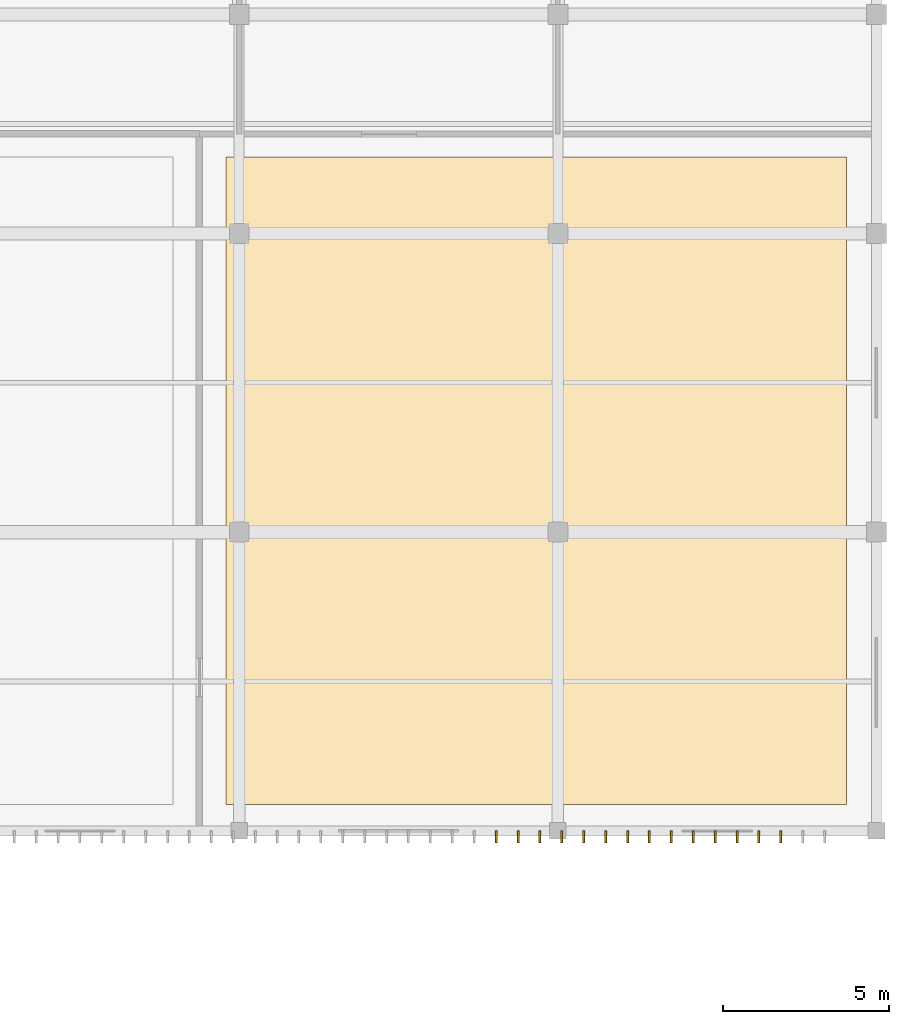
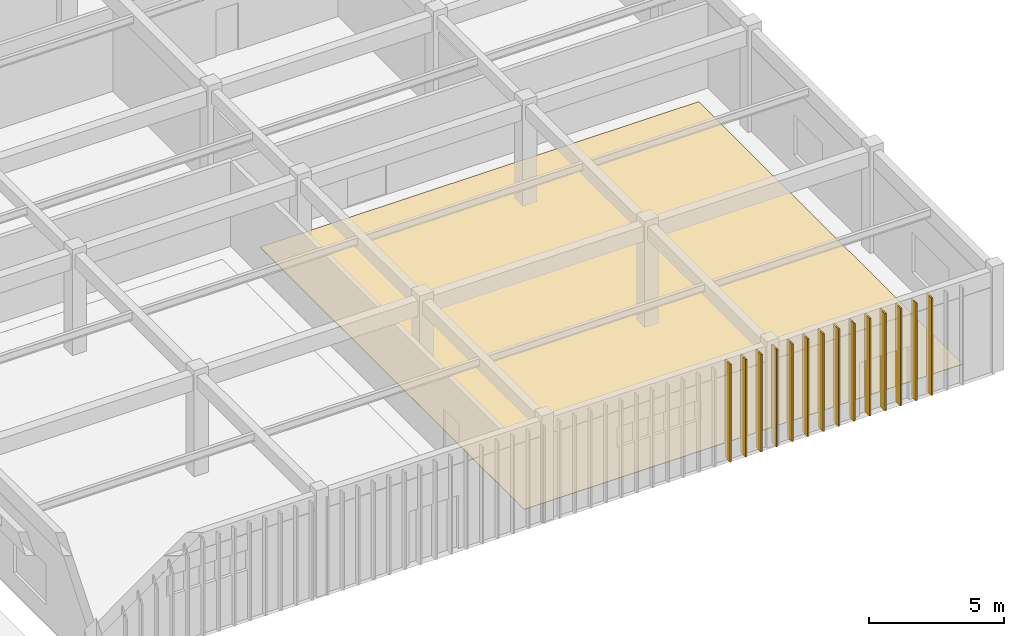
# One storey, part 73 of 82: 14 shading devices, 1 covering.
"""IFC4 building model written with IfcOpenShell, lengths in metres."""

from ifc_helpers import new_model, si_unit, direction, frame, origin, origin_2d, place, context, subcontext, project, spatial, polyline, rectangle, outline, extrude, material, layer, layer_set, type_object, element, save


model = new_model("IFC4")

# Units and contexts
model_context = context("Model", 3, precision=1e-05, world=origin(), true_north=direction((0.0, 1.0)))
body_context = subcontext(model_context, "Body", "Model", "MODEL_VIEW")
ifc_project = project(units=[si_unit("LENGTHUNIT", "METRE"), si_unit("AREAUNIT", "SQUARE_METRE"), si_unit("VOLUMEUNIT", "CUBIC_METRE"), si_unit("PLANEANGLEUNIT", "RADIAN"), si_unit("MASSUNIT", "GRAM", prefix="KILO")], contexts=[model_context])

# Site, building, storey
site_placement = place(None, origin())
site = spatial("IfcSite", under=ifc_project, at=site_placement, CompositionType="ELEMENT")
building_placement = place(site_placement, origin())
building = spatial("IfcBuilding", under=site, at=building_placement, Name="Suirenkawa Promenade Aquatics Centre", CompositionType="ELEMENT")
storey_placement = place(building_placement, origin())
storey = spatial("IfcBuildingStorey", under=building, at=storey_placement, Name="L00", CompositionType="ELEMENT", Elevation=0.0)

# Covering
ifc_material_1 = material(Name="Vitrified anti-slip natatorium ceramic tile")
ifc_layer = layer(ifc_material_1, 0.02490234375, Name="Vitrified anti-slip natatorium ceramic tile")
ifc_layer_set = layer_set([ifc_layer], Name="Vitrified anti-slip natatorium ceramic tile")
covering_type = type_object("IfcCoveringType", Name="CVT-WET-TILE", PredefinedType="FLOORING", material=ifc_layer_set)
covering_placement = place(storey_placement, origin())
element("IfcCovering", 1, at=covering_placement, inside=storey, type_object=covering_type, Name="Floor finish FLR-01 FLR-006", PredefinedType="FLOORING", context=body_context, shape_type="SweptSolid", body=[
    extrude(outline(polyline([(174.800048828125, 5.0), (193.5, 5.0), (193.5, 24.5), (174.800048828125, 24.5), (174.800048828125, 5.0)])), origin(), (0.0, 0.0, 1.0), 0.02490234375),
])

# Shading devices
ifc_material_2 = material(Name="Anodised aluminium 6063-T6", Category="aluminium")
shading_device_type = type_object("IfcShadingDeviceType", Name="SDT-KOUSHI-400", PredefinedType="USERDEFINED", material=ifc_material_2)
for number, where, z_axis, x_axis, name in (
    (2, (182.93994140625, 4.02001953125, 0.0), (0.0, 0.0, 1.0), (1.0, 0.0, 0.0), "Koushi facade sunshade FN-01 SHD-0360"),
    (3, (183.60009765625, 4.02001953125, 0.0), (0.0, 0.0, 1.0), (1.0, 0.0, 0.0), "Koushi facade sunshade FN-01 SHD-0361"),
    (4, (184.260009765625, 4.02001953125, 0.0), (0.0, 0.0, 1.0), (1.0, 0.0, 0.0), "Koushi facade sunshade FN-01 SHD-0362"),
    (5, (184.919921875, 4.02001953125, 0.0), (0.0, 0.0, 1.0), (1.0, 0.0, 0.0), "Koushi facade sunshade FN-01 SHD-0363"),
    (6, (185.580078125, 4.02001953125, 0.0), (0.0, 0.0, 1.0), (1.0, 0.0, 0.0), "Koushi facade sunshade FN-01 SHD-0364"),
    (7, (186.239990234375, 4.02001953125, 0.0), (0.0, 0.0, 1.0), (1.0, 0.0, 0.0), "Koushi facade sunshade FN-01 SHD-0365"),
    (8, (186.89990234375, 4.02001953125, 0.0), (0.0, 0.0, 1.0), (1.0, 0.0, 0.0), "Koushi facade sunshade FN-01 SHD-0366"),
    (9, (187.56005859375, 4.02001953125, 0.0), (0.0, 0.0, 1.0), (1.0, 0.0, 0.0), "Koushi facade sunshade FN-01 SHD-0367"),
    (10, (188.219970703125, 4.02001953125, 0.0), (0.0, 0.0, 1.0), (1.0, 0.0, 0.0), "Koushi facade sunshade FN-01 SHD-0368"),
    (11, (188.8798828125, 4.02001953125, 0.0), (0.0, 0.0, 1.0), (1.0, 0.0, 0.0), "Koushi facade sunshade FN-01 SHD-0369"),
    (12, (189.5400390625, 4.02001953125, 0.0), (0.0, 0.0, 1.0), (1.0, 0.0, 0.0), "Koushi facade sunshade FN-01 SHD-0370"),
    (13, (190.199951171875, 4.02001953125, 0.0), (0.0, 0.0, 1.0), (1.0, 0.0, 0.0), "Koushi facade sunshade FN-01 SHD-0371"),
    (14, (190.860107421875, 4.02001953125, 0.0), (0.0, 0.0, 1.0), (1.0, 0.0, 0.0), "Koushi facade sunshade FN-01 SHD-0372"),
    (15, (191.52001953125, 4.02001953125, 0.0), (0.0, 0.0, 1.0), (1.0, 0.0, 0.0), "Koushi facade sunshade FN-01 SHD-0373"),
):
    element("IfcShadingDevice", number, at=place(storey_placement, frame(where, z_axis=z_axis, x_axis=x_axis)), inside=storey, type_object=shading_device_type, Name=name, ObjectType="FIN", PredefinedType="USERDEFINED", context=body_context, shape_type="SweptSolid", body=[
        extrude(rectangle(XDim=0.06005859375, YDim=0.360107421875, at=origin_2d()), origin(), (0.0, 0.0, 1.0), 4.39990234375),
    ])

save(model, "model.ifc")
